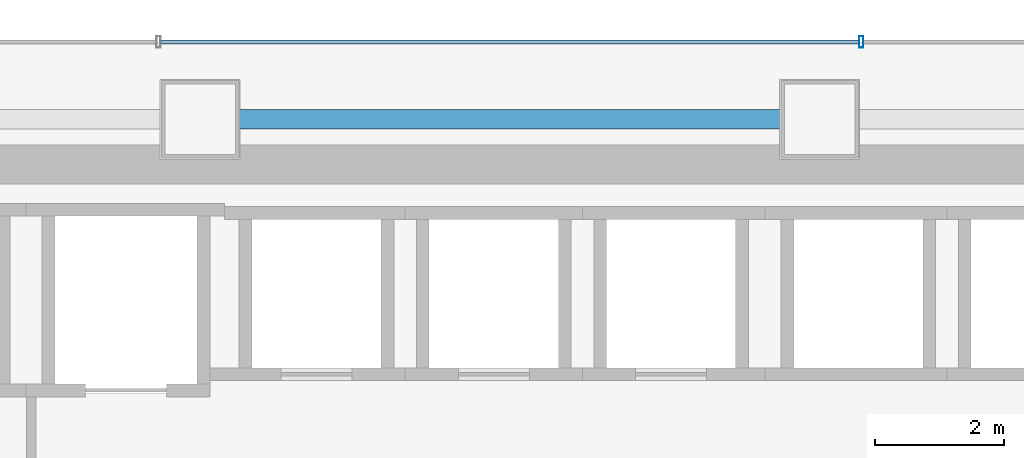
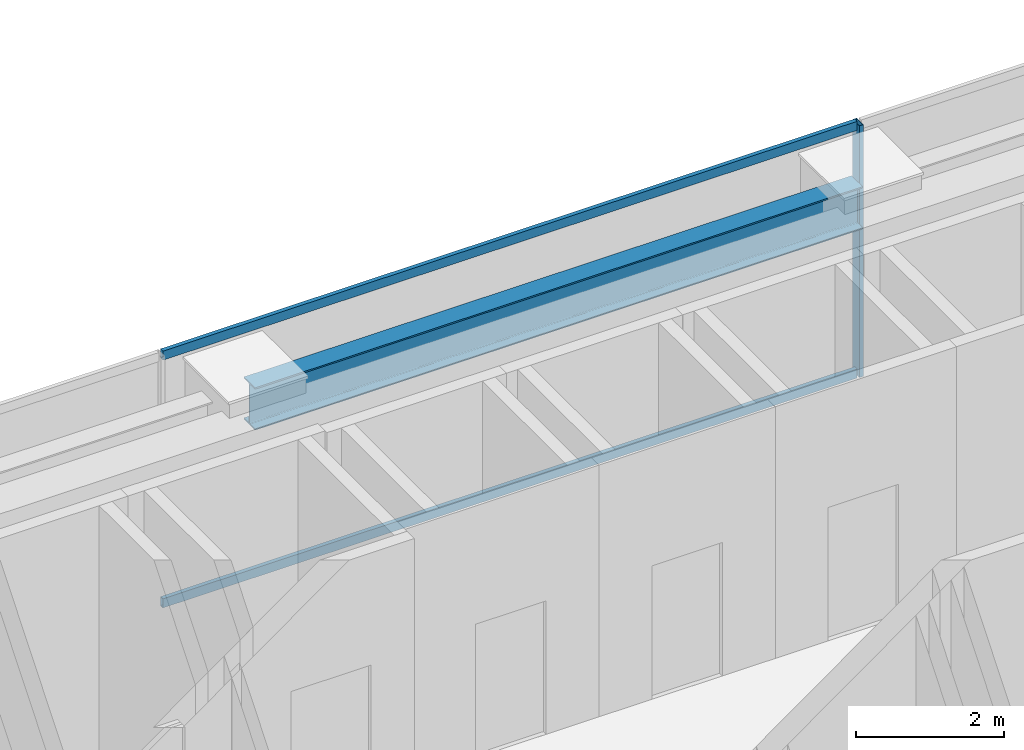
# One storey, part 28 of 40: 3 members, 1 beam, 1 element without a shape of its own.
"""IFC4 building model written with IfcOpenShell, lengths in metres."""

from ifc_helpers import new_model, si_unit, direction, frame, origin, origin_2d, place, context, subcontext, project, spatial, hollow_rectangle, i_section, extrude, material, material_profile, profile_set, type_object, element, aggregate, save


model = new_model("IFC4")

# Units and contexts
model_context = context("Model", 3, precision=1e-05, world=origin(), true_north=direction((0.0, 1.0)))
body_context = subcontext(model_context, "Body", "Model", "MODEL_VIEW")
ifc_project = project(units=[si_unit("LENGTHUNIT", "METRE"), si_unit("AREAUNIT", "SQUARE_METRE"), si_unit("VOLUMEUNIT", "CUBIC_METRE"), si_unit("PLANEANGLEUNIT", "RADIAN"), si_unit("MASSUNIT", "GRAM", prefix="KILO")], contexts=[model_context])

# Site, building, storey
site_placement = place(None, origin())
site = spatial("IfcSite", under=ifc_project, at=site_placement, CompositionType="ELEMENT")
building_placement = place(site_placement, origin())
building = spatial("IfcBuilding", under=site, at=building_placement, Name="Saevonmaru Cultural Tower", CompositionType="ELEMENT")
storey_placement = place(building_placement, frame((0.0, 0.0, 97.199951171875)))
storey = spatial("IfcBuildingStorey", under=building, at=storey_placement, Name="L20", CompositionType="ELEMENT", Elevation=97.199951171875)

# Beam
ifc_material_1 = material(Name="Steel SM355", Category="steel")
ifc_material_profile_1 = material_profile(ifc_material_1, i_section(OverallWidth=0.300048828125, OverallDepth=0.699951171875, WebThickness=0.012939453125, FlangeThickness=0.02392578125, FilletRadius=0.02587890625, at=origin_2d()), Name="H-700x300x13x24")
ifc_profile_set_1 = profile_set([ifc_material_profile_1], Name="Steel SM355")
beam_type = type_object("IfcBeamType", Name="BM-SP-H700", PredefinedType="SPANDREL", material=ifc_profile_set_1)
beam_placement = place(storey_placement, frame((25.260009765625, 54.800048828125, 3.800048828125), z_axis=(1.0, 0.0, 0.0), x_axis=(0.0, 1.0, 0.0)))
element("IfcBeam", 1, at=beam_placement, inside=storey, type_object=beam_type, Name="L20 North Spine Girder 3", PredefinedType="SPANDREL", context=body_context, shape_type="SweptSolid", body=[
    extrude(i_section(OverallWidth=0.300048828125, OverallDepth=0.699951171875, WebThickness=0.012939453125, FlangeThickness=0.02392578125, FilletRadius=0.02587890625, at=origin_2d()), origin(), (0.0, 0.0, 1.0), 9.47998046875),
])

# Curtain wall, members
ifc_material_2 = material(Name="Satin Bronze Anodised Aluminium", Category="aluminium")
curtain_wall_type = type_object("IfcCurtainWallType", Name="CW-TYP-A", PredefinedType="NOTDEFINED", material=ifc_material_2)
curtain_wall_placement = place(storey_placement, origin())
curtain_wall = element("IfcCurtainWall", 2, at=curtain_wall_placement, inside=storey, type_object=curtain_wall_type, Name="L20 North Spine Unitised Curtain Wall E10B", PredefinedType="NOTDEFINED")
ifc_material_profile_2 = material_profile(ifc_material_2, hollow_rectangle(XDim=0.06494140625, YDim=0.179931640625, WallThickness=0.00390625, at=origin_2d()), Name="ALU-MULL-180x65x4")
ifc_profile_set_2 = profile_set([ifc_material_profile_2], Name="Satin Bronze Anodised Aluminium")
member_type_1 = type_object("IfcMemberType", Name="ML-CW-180x65", PredefinedType="MULLION", material=ifc_profile_set_2)
member_1_placement = place(storey_placement, frame((35.44677734375, 56.0, 0.0), z_axis=(0.0, 0.0, 1.0), x_axis=(-1.0, 0.0, 0.0)))
member_1 = element("IfcMember", 3, at=member_1_placement, type_object=member_type_1, Name="CW-TW-L20-E10B mullion 2", PredefinedType="MULLION", context=body_context, shape_type="SweptSolid", body=[
    extrude(hollow_rectangle(XDim=0.06494140625, YDim=0.179931640625, WallThickness=0.00390625, at=origin_2d()), origin(), (0.0, 0.0, 1.0), 4.150146484375),
])
ifc_material_profile_3 = material_profile(ifc_material_2, hollow_rectangle(XDim=0.06494140625, YDim=0.14990234375, WallThickness=0.00390625, at=origin_2d()), Name="ALU-TRAN-150x65x4")
ifc_profile_set_3 = profile_set([ifc_material_profile_3], Name="Satin Bronze Anodised Aluminium")
member_type_2 = type_object("IfcMemberType", Name="TR-CW-150x65", PredefinedType="USERDEFINED", material=ifc_profile_set_3)
member_2_placement = place(storey_placement, frame((35.4140625, 56.0, 0.032470703125), z_axis=(-1.0, 0.0, 0.0), x_axis=(0.0, -1.0, 0.0)))
member_2 = element("IfcMember", 4, at=member_2_placement, type_object=member_type_2, Name="CW-TW-L20-E10B transom 2.1", ObjectType="TRANSOM", PredefinedType="USERDEFINED", context=body_context, shape_type="SweptSolid", body=[
    extrude(hollow_rectangle(XDim=0.06494140625, YDim=0.14990234375, WallThickness=0.00390625, at=origin_2d()), origin(), (0.0, 0.0, 1.0), 10.828125),
])
member_3_placement = place(storey_placement, frame((35.4140625, 56.0, 4.117431640625), z_axis=(-1.0, 0.0, 0.0), x_axis=(0.0, -1.0, 0.0)))
member_3 = element("IfcMember", 5, at=member_3_placement, type_object=member_type_2, Name="CW-TW-L20-E10B transom 2.2", ObjectType="TRANSOM", PredefinedType="USERDEFINED", context=body_context, shape_type="SweptSolid", body=[
    extrude(hollow_rectangle(XDim=0.06494140625, YDim=0.14990234375, WallThickness=0.00390625, at=origin_2d()), origin(), (0.0, 0.0, 1.0), 10.828125),
])
aggregate(curtain_wall, [member_1, member_2, member_3])

save(model, "model.ifc")
